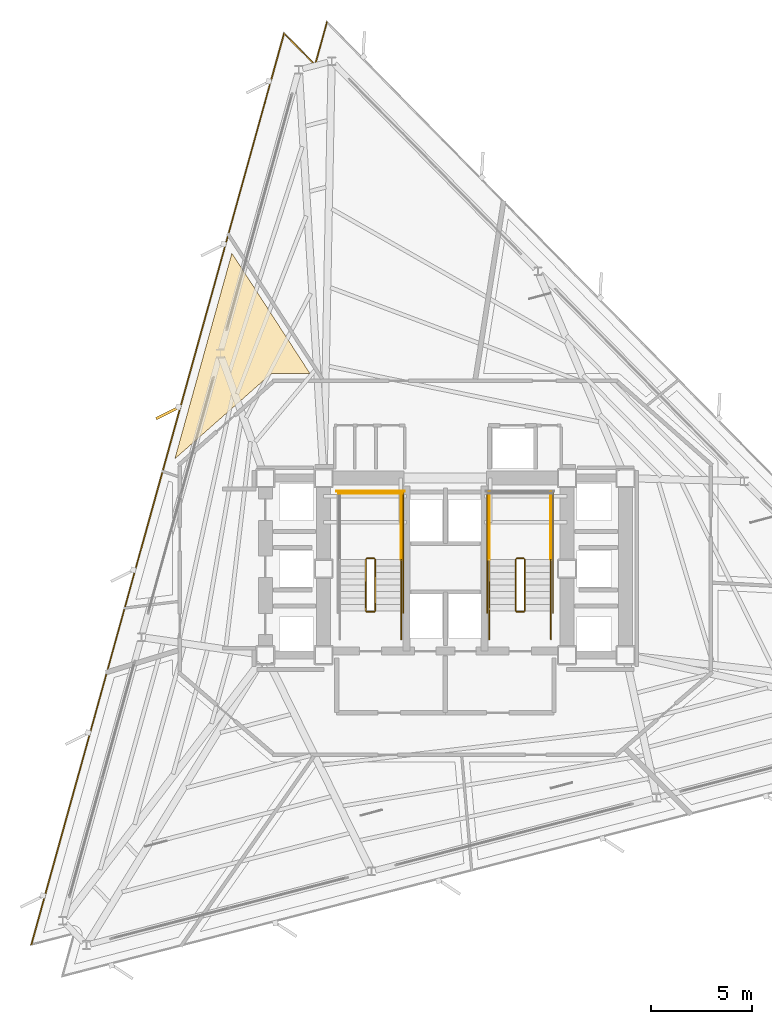
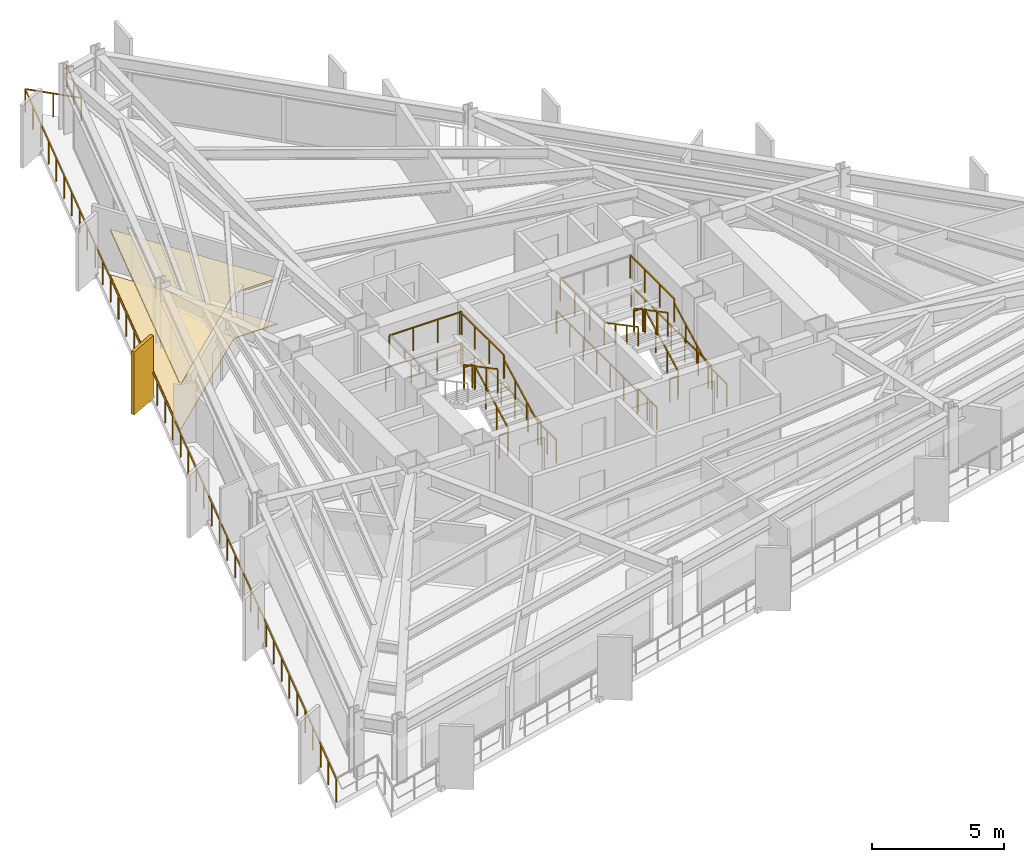
# One storey, part 10 of 11: 23 railings, 2 coverings, 1 shading device.
"""IFC4 building model written with IfcOpenShell, lengths in metres."""

from ifc_helpers import new_model, si_unit, direction, frame, origin, origin_2d, place, context, subcontext, project, spatial, polyline, rectangle, outline, extrude, material, layer, layer_set, type_object, element, save


model = new_model("IFC4")

# Units and contexts
model_context = context("Model", 3, precision=1e-05, world=origin(), true_north=direction((0.0, 1.0)))
body_context = subcontext(model_context, "Body", "Model", "MODEL_VIEW")
ifc_project = project(units=[si_unit("LENGTHUNIT", "METRE"), si_unit("AREAUNIT", "SQUARE_METRE"), si_unit("VOLUMEUNIT", "CUBIC_METRE"), si_unit("PLANEANGLEUNIT", "RADIAN"), si_unit("MASSUNIT", "GRAM", prefix="KILO")], contexts=[model_context])

# Site, building, storey
site_placement = place(None, origin())
site = spatial("IfcSite", under=ifc_project, at=site_placement, CompositionType="ELEMENT")
building_placement = place(site_placement, origin())
building = spatial("IfcBuilding", under=site, at=building_placement, Name="Rocaltana Carrier Exchange", CompositionType="ELEMENT")
storey_placement = place(building_placement, frame((0.0, 0.0, 91.679931640625)))
storey = spatial("IfcBuildingStorey", under=building, at=storey_placement, Name="L28", CompositionType="ELEMENT", Elevation=91.679931640625)

# Coverings
ifc_material_1 = material(Name="Honed Bogota Sandstone Tile", Category="masonry")
ifc_layer_1 = layer(ifc_material_1, 0.0400390625)
ifc_layer_set_1 = layer_set([ifc_layer_1], Name="Honed Bogota Sandstone Tile")
covering_type_1 = type_object("IfcCoveringType", Name="Honed Stone Lobby Flooring 40", PredefinedType="FLOORING", material=ifc_layer_set_1)
covering_1_placement = place(storey_placement, origin())
element("IfcCovering", 1, at=covering_1_placement, inside=storey, type_object=covering_type_1, Name="L28 Carrier Peering Suite Finish Floor", PredefinedType="FLOORING", context=body_context, shape_type="SweptSolid", body=[
    extrude(outline(polyline([(-13.4443359375, 5.464111328125), (-10.611572265625, 15.67919921875), (-6.735107421875, 9.7099609375), (-8.5, 9.7099609375), (-8.514404296875, 9.709716796875), (-8.522705078125, 9.709228515625), (-8.551513671875, 9.706298828125), (-8.5595703125, 9.704833984375), (-8.587890625, 9.698974609375), (-8.595947265625, 9.697021484375), (-8.62353515625, 9.68798828125), (-8.631103515625, 9.68505859375), (-8.65771484375, 9.673583984375), (-8.6650390625, 9.669921875), (-8.690185546875, 9.655517578125), (-8.697265625, 9.651123046875), (-8.720703125, 9.63427734375), (-8.727294921875, 9.629150390625), (-8.73828125, 9.619873046875), (-13.438232421875, 5.469970703125), (-13.4443359375, 5.464111328125)])), origin(), (0.0, 0.0, 1.0), 0.0400390625),
])
ifc_material_2 = material(Name="Anodised Aluminium 6063-T6", Category="aluminium")
ifc_layer_2 = layer(ifc_material_2, 0.0849609375)
ifc_layer_set_2 = layer_set([ifc_layer_2], Name="Anodised Aluminium 6063-T6")
covering_type_2 = type_object("IfcCoveringType", Name="Linear Baffle Acoustic Ceiling 85", PredefinedType="CEILING", material=ifc_layer_set_2)
covering_2_placement = place(storey_placement, frame((0.0, 0.0, 2.052978515625)))
element("IfcCovering", 2, at=covering_2_placement, inside=storey, type_object=covering_type_2, Name="L28 Carrier Peering Suite Acoustic Ceiling", PredefinedType="CEILING", context=body_context, shape_type="SweptSolid", body=[
    extrude(outline(polyline([(-13.4443359375, 5.464111328125), (-10.611572265625, 15.67919921875), (-6.735107421875, 9.7099609375), (-8.5, 9.7099609375), (-8.514404296875, 9.709716796875), (-8.522705078125, 9.709228515625), (-8.551513671875, 9.706298828125), (-8.5595703125, 9.704833984375), (-8.587890625, 9.698974609375), (-8.595947265625, 9.697021484375), (-8.62353515625, 9.68798828125), (-8.631103515625, 9.68505859375), (-8.65771484375, 9.673583984375), (-8.6650390625, 9.669921875), (-8.690185546875, 9.655517578125), (-8.697265625, 9.651123046875), (-8.720703125, 9.63427734375), (-8.727294921875, 9.629150390625), (-8.73828125, 9.619873046875), (-13.438232421875, 5.469970703125), (-13.4443359375, 5.464111328125)])), origin(), (0.0, 0.0, 1.0), 0.085205078125),
])

# Railings
ifc_material_3 = material(Name="Brushed Architectural Stainless Tube", Category="steel")
ifc_layer_3 = layer(ifc_material_3, 0.048095703125)
ifc_layer_set_3 = layer_set([ifc_layer_3], Name="Brushed Architectural Stainless Tube")
railing_type_1 = type_object("IfcRailingType", Name="Stair Wall Handrail 920", PredefinedType="HANDRAIL", material=ifc_layer_set_3)
for number, where, name in (
    (3, (-2.18994140625, -2.10009765625, 0.1689453125), "L28 ST-1 stair handrail 1"),
    (4, (5.25, -2.10009765625, 0.1689453125), "L28 ST-2 stair handrail 1"),
):
    element("IfcRailing", number, at=place(storey_placement, frame(where)), inside=storey, type_object=railing_type_1, Name=name, PredefinedType="HANDRAIL", context=body_context, shape_type="SweptSolid", body=[
        extrude(rectangle(XDim=0.048095703125, YDim=0.048095703125, at=origin_2d()), frame((0.0, 0.0, 0.8759765625), z_axis=(0.0, 0.884394423565, 0.466740295633), x_axis=(-1.0, 0.0, 0.0)), (0.0, 0.0, 1.0), 2.894775390625),
        extrude(rectangle(XDim=0.0419921875, YDim=0.0419921875, at=origin_2d()), origin(), (0.0, 0.0, 1.0), 0.851806640625),
        extrude(rectangle(XDim=0.0419921875, YDim=0.0419921875, at=origin_2d()), frame((0.0, 0.853271484375, 0.450439453125)), (0.0, 0.0, 1.0), 0.851806640625),
        extrude(rectangle(XDim=0.0419921875, YDim=0.0419921875, at=origin_2d()), frame((0.0, 1.706787109375, 0.900634765625)), (0.0, 0.0, 1.0), 0.851806640625),
        extrude(rectangle(XDim=0.0419921875, YDim=0.0419921875, at=origin_2d()), frame((0.0, 2.56005859375, 1.35107421875)), (0.0, 0.0, 1.0), 0.851806640625),
    ])
railing_1_placement = place(storey_placement, frame((2.18994140625, 0.4599609375, 1.68896484375)))
element("IfcRailing", 5, at=railing_1_placement, inside=storey, type_object=railing_type_1, Name="L28 ST-2 stair handrail 2", PredefinedType="HANDRAIL", context=body_context, shape_type="SweptSolid", body=[
    extrude(rectangle(XDim=0.048095703125, YDim=0.048095703125, at=origin_2d()), frame((0.0, 0.0, 0.8759765625), z_axis=(0.0, -0.884394423565, 0.466740295633), x_axis=(1.0, 0.0, 0.0)), (0.0, 0.0, 1.0), 2.894775390625),
    extrude(rectangle(XDim=0.0419921875, YDim=0.0419921875, at=origin_2d()), origin(), (0.0, 0.0, 1.0), 0.851806640625),
    extrude(rectangle(XDim=0.0419921875, YDim=0.0419921875, at=origin_2d()), frame((0.0, -0.853271484375, 0.450439453125)), (0.0, 0.0, 1.0), 0.851806640625),
    extrude(rectangle(XDim=0.0419921875, YDim=0.0419921875, at=origin_2d()), frame((0.0, -1.706787109375, 0.900634765625)), (0.0, 0.0, 1.0), 0.851806640625),
    extrude(rectangle(XDim=0.0419921875, YDim=0.0419921875, at=origin_2d()), frame((0.0, -2.56005859375, 1.35107421875)), (0.0, 0.0, 1.0), 0.851806640625),
])
ifc_material_4 = material(Name="Powder-Coated Aluminium 6063-T6", Category="aluminium")
ifc_layer_4 = layer(ifc_material_4, 0.048095703125)
ifc_layer_set_4 = layer_set([ifc_layer_4], Name="Powder-Coated Aluminium 6063-T6")
railing_type_2 = type_object("IfcRailingType", Name="Stair Well Guardrail 1100", PredefinedType="GUARDRAIL", material=ifc_layer_set_4)
railing_2_placement = place(storey_placement, frame((-3.489990234375, -2.10009765625, 0.1689453125)))
element("IfcRailing", 6, at=railing_2_placement, inside=storey, type_object=railing_type_2, Name="L28 ST-1 stair guard 1", PredefinedType="GUARDRAIL", context=body_context, shape_type="SweptSolid", body=[
    extrude(rectangle(XDim=0.048095703125, YDim=0.048095703125, at=origin_2d()), frame((0.0, 0.0, 1.076171875), z_axis=(0.0, 0.884394423565, 0.466740295633), x_axis=(-1.0, 0.0, 0.0)), (0.0, 0.0, 1.0), 2.894775390625),
    extrude(rectangle(XDim=0.0419921875, YDim=0.0419921875, at=origin_2d()), origin(), (0.0, 0.0, 1.0), 1.052001953125),
    extrude(rectangle(XDim=0.0419921875, YDim=0.0419921875, at=origin_2d()), frame((0.0, 0.853271484375, 0.450439453125)), (0.0, 0.0, 1.0), 1.052001953125),
    extrude(rectangle(XDim=0.0419921875, YDim=0.0419921875, at=origin_2d()), frame((0.0, 1.706787109375, 0.900634765625)), (0.0, 0.0, 1.0), 1.052001953125),
    extrude(rectangle(XDim=0.0419921875, YDim=0.0419921875, at=origin_2d()), frame((0.0, 2.56005859375, 1.35107421875)), (0.0, 0.0, 1.0), 1.052001953125),
])
railing_3_placement = place(storey_placement, frame((-3.5400390625, 0.510009765625, 1.52001953125)))
element("IfcRailing", 7, at=railing_3_placement, inside=storey, type_object=railing_type_2, Name="L28 ST-1 stair guard 2", PredefinedType="GUARDRAIL", context=body_context, shape_type="SweptSolid", body=[
    extrude(rectangle(XDim=0.048095703125, YDim=0.048095703125, at=origin_2d()), frame((0.0, 0.0, 1.076171875), z_axis=(-1.0, 0.0, 0.0), x_axis=(0.0, -1.0, 0.0)), (0.0, 0.0, 1.0), 0.35986328125),
    extrude(rectangle(XDim=0.0419921875, YDim=0.0419921875, at=origin_2d()), origin(), (0.0, 0.0, 1.0), 1.052001953125),
    extrude(rectangle(XDim=0.0419921875, YDim=0.0419921875, at=origin_2d()), frame((-0.35986328125, 0.0, 0.0)), (0.0, 0.0, 1.0), 1.052001953125),
])
railing_4_placement = place(storey_placement, frame((-2.18994140625, 0.4599609375, 1.52001953125)))
element("IfcRailing", 8, at=railing_4_placement, inside=storey, type_object=railing_type_2, Name="L28 ST-1 stair guard 3", PredefinedType="GUARDRAIL", context=body_context, shape_type="SweptSolid", body=[
    extrude(rectangle(XDim=0.048095703125, YDim=0.048095703125, at=origin_2d()), frame((0.0, 0.0, 1.076171875), z_axis=(0.0, 1.0, 0.0), x_axis=(-1.0, 0.0, 0.0)), (0.0, 0.0, 1.0), 3.340087890625),
    extrude(rectangle(XDim=0.0419921875, YDim=0.0419921875, at=origin_2d()), origin(), (0.0, 0.0, 1.0), 1.052001953125),
    extrude(rectangle(XDim=0.0419921875, YDim=0.0419921875, at=origin_2d()), frame((0.0, 1.11328125, 0.0)), (0.0, 0.0, 1.0), 1.052001953125),
    extrude(rectangle(XDim=0.0419921875, YDim=0.0419921875, at=origin_2d()), frame((0.0, 2.226806640625, 0.0)), (0.0, 0.0, 1.0), 1.052001953125),
    extrude(rectangle(XDim=0.0419921875, YDim=0.0419921875, at=origin_2d()), frame((0.0, 3.340087890625, 0.0)), (0.0, 0.0, 1.0), 1.052001953125),
])
railing_5_placement = place(storey_placement, frame((-2.139892578125, 3.75, 1.52001953125)))
element("IfcRailing", 9, at=railing_5_placement, inside=storey, type_object=railing_type_2, Name="L28 ST-1 stair guard 5", PredefinedType="GUARDRAIL", context=body_context, shape_type="SweptSolid", body=[
    extrude(rectangle(XDim=0.048095703125, YDim=0.048095703125, at=origin_2d()), frame((0.0, 0.0, 1.076171875), z_axis=(-1.0, 0.0, 0.0), x_axis=(0.0, -1.0, 0.0)), (0.0, 0.0, 1.0), 3.16015625),
    extrude(rectangle(XDim=0.0419921875, YDim=0.0419921875, at=origin_2d()), origin(), (0.0, 0.0, 1.0), 1.052001953125),
    extrude(rectangle(XDim=0.0419921875, YDim=0.0419921875, at=origin_2d()), frame((-1.053466796875, 0.0, 0.0)), (0.0, 0.0, 1.0), 1.052001953125),
    extrude(rectangle(XDim=0.0419921875, YDim=0.0419921875, at=origin_2d()), frame((-2.106689453125, 0.0, 0.0)), (0.0, 0.0, 1.0), 1.052001953125),
    extrude(rectangle(XDim=0.0419921875, YDim=0.0419921875, at=origin_2d()), frame((-3.16015625, 0.0, 0.0)), (0.0, 0.0, 1.0), 1.052001953125),
])
railing_6_placement = place(storey_placement, frame((-3.949951171875, 0.4599609375, 1.68896484375)))
element("IfcRailing", 10, at=railing_6_placement, inside=storey, type_object=railing_type_2, Name="L28 ST-1 stair guard 6", PredefinedType="GUARDRAIL", context=body_context, shape_type="SweptSolid", body=[
    extrude(rectangle(XDim=0.048095703125, YDim=0.048095703125, at=origin_2d()), frame((0.0, 0.0, 1.076171875), z_axis=(0.0, -0.884394423565, 0.466740295633), x_axis=(1.0, 0.0, 0.0)), (0.0, 0.0, 1.0), 2.894775390625),
    extrude(rectangle(XDim=0.0419921875, YDim=0.0419921875, at=origin_2d()), origin(), (0.0, 0.0, 1.0), 1.052001953125),
    extrude(rectangle(XDim=0.0419921875, YDim=0.0419921875, at=origin_2d()), frame((0.0, -0.853271484375, 0.450439453125)), (0.0, 0.0, 1.0), 1.052001953125),
    extrude(rectangle(XDim=0.0419921875, YDim=0.0419921875, at=origin_2d()), frame((0.0, -1.706787109375, 0.900634765625)), (0.0, 0.0, 1.0), 1.052001953125),
    extrude(rectangle(XDim=0.0419921875, YDim=0.0419921875, at=origin_2d()), frame((0.0, -2.56005859375, 1.35107421875)), (0.0, 0.0, 1.0), 1.052001953125),
])
railing_7_placement = place(storey_placement, frame((-3.5400390625, -2.14990234375, 0.0)))
element("IfcRailing", 11, at=railing_7_placement, inside=storey, type_object=railing_type_2, Name="L28 ST-1 stair guard 7", PredefinedType="GUARDRAIL", context=body_context, shape_type="SweptSolid", body=[
    extrude(rectangle(XDim=0.048095703125, YDim=0.048095703125, at=origin_2d()), frame((0.0, 0.0, 1.076171875), z_axis=(-1.0, 0.0, 0.0), x_axis=(0.0, -1.0, 0.0)), (0.0, 0.0, 1.0), 0.35986328125),
    extrude(rectangle(XDim=0.0419921875, YDim=0.0419921875, at=origin_2d()), origin(), (0.0, 0.0, 1.0), 1.052001953125),
    extrude(rectangle(XDim=0.0419921875, YDim=0.0419921875, at=origin_2d()), frame((-0.35986328125, 0.0, 0.0)), (0.0, 0.0, 1.0), 1.052001953125),
])
railing_8_placement = place(storey_placement, frame((-2.18994140625, -3.5, 0.0)))
element("IfcRailing", 12, at=railing_8_placement, inside=storey, type_object=railing_type_2, Name="L28 ST-1 stair guard 8", PredefinedType="GUARDRAIL", context=body_context, shape_type="SweptSolid", body=[
    extrude(rectangle(XDim=0.048095703125, YDim=0.048095703125, at=origin_2d()), frame((0.0, 0.0, 1.076171875), z_axis=(0.0, 1.0, 0.0), x_axis=(-1.0, 0.0, 0.0)), (0.0, 0.0, 1.0), 1.39990234375),
    extrude(rectangle(XDim=0.0419921875, YDim=0.0419921875, at=origin_2d()), origin(), (0.0, 0.0, 1.0), 1.052001953125),
    extrude(rectangle(XDim=0.0419921875, YDim=0.0419921875, at=origin_2d()), frame((0.0, 0.699951171875, 0.0)), (0.0, 0.0, 1.0), 1.052001953125),
    extrude(rectangle(XDim=0.0419921875, YDim=0.0419921875, at=origin_2d()), frame((0.0, 1.39990234375, 0.0)), (0.0, 0.0, 1.0), 1.052001953125),
])
railing_9_placement = place(storey_placement, frame((-2.090087890625, -2.199951171875, 0.0)))
element("IfcRailing", 13, at=railing_9_placement, inside=storey, type_object=railing_type_2, Name="L28 ST-1 stair guard 10", PredefinedType="GUARDRAIL", context=body_context, shape_type="SweptSolid", body=[
    extrude(rectangle(XDim=0.048095703125, YDim=0.048095703125, at=origin_2d()), frame((0.0, 0.0, 1.076171875), z_axis=(0.0, 1.0, 0.0), x_axis=(-1.0, 0.0, 0.0)), (0.0, 0.0, 1.0), 6.099853515625),
    extrude(rectangle(XDim=0.0419921875, YDim=0.0419921875, at=origin_2d()), origin(), (0.0, 0.0, 1.0), 1.052001953125),
    extrude(rectangle(XDim=0.0419921875, YDim=0.0419921875, at=origin_2d()), frame((0.0, 1.0166015625, 0.0)), (0.0, 0.0, 1.0), 1.052001953125),
    extrude(rectangle(XDim=0.0419921875, YDim=0.0419921875, at=origin_2d()), frame((0.0, 2.033203125, 0.0)), (0.0, 0.0, 1.0), 1.052001953125),
    extrude(rectangle(XDim=0.0419921875, YDim=0.0419921875, at=origin_2d()), frame((0.0, 3.0498046875, 0.0)), (0.0, 0.0, 1.0), 1.052001953125),
    extrude(rectangle(XDim=0.0419921875, YDim=0.0419921875, at=origin_2d()), frame((0.0, 4.066650390625, 0.0)), (0.0, 0.0, 1.0), 1.052001953125),
    extrude(rectangle(XDim=0.0419921875, YDim=0.0419921875, at=origin_2d()), frame((0.0, 5.083251953125, 0.0)), (0.0, 0.0, 1.0), 1.052001953125),
    extrude(rectangle(XDim=0.0419921875, YDim=0.0419921875, at=origin_2d()), frame((0.0, 6.099853515625, 0.0)), (0.0, 0.0, 1.0), 1.052001953125),
])
railing_10_placement = place(storey_placement, frame((-2.0400390625, 3.85009765625, 0.0)))
element("IfcRailing", 14, at=railing_10_placement, inside=storey, type_object=railing_type_2, Name="L28 ST-1 stair guard 12", PredefinedType="GUARDRAIL", context=body_context, shape_type="SweptSolid", body=[
    extrude(rectangle(XDim=0.048095703125, YDim=0.048095703125, at=origin_2d()), frame((0.0, 0.0, 1.076171875), z_axis=(-1.0, 0.0, 0.0), x_axis=(0.0, -1.0, 0.0)), (0.0, 0.0, 1.0), 3.35986328125),
    extrude(rectangle(XDim=0.0419921875, YDim=0.0419921875, at=origin_2d()), origin(), (0.0, 0.0, 1.0), 1.052001953125),
    extrude(rectangle(XDim=0.0419921875, YDim=0.0419921875, at=origin_2d()), frame((-1.119873046875, 0.0, 0.0)), (0.0, 0.0, 1.0), 1.052001953125),
    extrude(rectangle(XDim=0.0419921875, YDim=0.0419921875, at=origin_2d()), frame((-2.239990234375, 0.0, 0.0)), (0.0, 0.0, 1.0), 1.052001953125),
    extrude(rectangle(XDim=0.0419921875, YDim=0.0419921875, at=origin_2d()), frame((-3.35986328125, 0.0, 0.0)), (0.0, 0.0, 1.0), 1.052001953125),
])
railing_11_placement = place(storey_placement, frame((3.949951171875, -2.10009765625, 0.1689453125)))
element("IfcRailing", 15, at=railing_11_placement, inside=storey, type_object=railing_type_2, Name="L28 ST-2 stair guard 1", PredefinedType="GUARDRAIL", context=body_context, shape_type="SweptSolid", body=[
    extrude(rectangle(XDim=0.048095703125, YDim=0.048095703125, at=origin_2d()), frame((0.0, 0.0, 1.076171875), z_axis=(0.0, 0.884394423565, 0.466740295633), x_axis=(-1.0, 0.0, 0.0)), (0.0, 0.0, 1.0), 2.894775390625),
    extrude(rectangle(XDim=0.0419921875, YDim=0.0419921875, at=origin_2d()), origin(), (0.0, 0.0, 1.0), 1.052001953125),
    extrude(rectangle(XDim=0.0419921875, YDim=0.0419921875, at=origin_2d()), frame((0.0, 0.853271484375, 0.450439453125)), (0.0, 0.0, 1.0), 1.052001953125),
    extrude(rectangle(XDim=0.0419921875, YDim=0.0419921875, at=origin_2d()), frame((0.0, 1.706787109375, 0.900634765625)), (0.0, 0.0, 1.0), 1.052001953125),
    extrude(rectangle(XDim=0.0419921875, YDim=0.0419921875, at=origin_2d()), frame((0.0, 2.56005859375, 1.35107421875)), (0.0, 0.0, 1.0), 1.052001953125),
])
railing_12_placement = place(storey_placement, frame((3.89990234375, 0.510009765625, 1.52001953125)))
element("IfcRailing", 16, at=railing_12_placement, inside=storey, type_object=railing_type_2, Name="L28 ST-2 stair guard 2", PredefinedType="GUARDRAIL", context=body_context, shape_type="SweptSolid", body=[
    extrude(rectangle(XDim=0.048095703125, YDim=0.048095703125, at=origin_2d()), frame((0.0, 0.0, 1.076171875), z_axis=(-1.0, 0.0, 0.0), x_axis=(0.0, -1.0, 0.0)), (0.0, 0.0, 1.0), 0.35986328125),
    extrude(rectangle(XDim=0.0419921875, YDim=0.0419921875, at=origin_2d()), origin(), (0.0, 0.0, 1.0), 1.052001953125),
    extrude(rectangle(XDim=0.0419921875, YDim=0.0419921875, at=origin_2d()), frame((-0.35986328125, 0.0, 0.0)), (0.0, 0.0, 1.0), 1.052001953125),
])
for number, where, name in (
    (17, (5.25, 0.4599609375, 1.52001953125), "L28 ST-2 stair guard 3"),
    (18, (2.18994140625, 0.4599609375, 1.52001953125), "L28 ST-2 stair guard 4"),
):
    element("IfcRailing", number, at=place(storey_placement, frame(where)), inside=storey, type_object=railing_type_2, Name=name, PredefinedType="GUARDRAIL", context=body_context, shape_type="SweptSolid", body=[
        extrude(rectangle(XDim=0.048095703125, YDim=0.048095703125, at=origin_2d()), frame((0.0, 0.0, 1.076171875), z_axis=(0.0, 1.0, 0.0), x_axis=(-1.0, 0.0, 0.0)), (0.0, 0.0, 1.0), 3.340087890625),
        extrude(rectangle(XDim=0.0419921875, YDim=0.0419921875, at=origin_2d()), origin(), (0.0, 0.0, 1.0), 1.052001953125),
        extrude(rectangle(XDim=0.0419921875, YDim=0.0419921875, at=origin_2d()), frame((0.0, 1.11328125, 0.0)), (0.0, 0.0, 1.0), 1.052001953125),
        extrude(rectangle(XDim=0.0419921875, YDim=0.0419921875, at=origin_2d()), frame((0.0, 2.226806640625, 0.0)), (0.0, 0.0, 1.0), 1.052001953125),
        extrude(rectangle(XDim=0.0419921875, YDim=0.0419921875, at=origin_2d()), frame((0.0, 3.340087890625, 0.0)), (0.0, 0.0, 1.0), 1.052001953125),
    ])
railing_13_placement = place(storey_placement, frame((3.489990234375, 0.4599609375, 1.68896484375)))
element("IfcRailing", 19, at=railing_13_placement, inside=storey, type_object=railing_type_2, Name="L28 ST-2 stair guard 6", PredefinedType="GUARDRAIL", context=body_context, shape_type="SweptSolid", body=[
    extrude(rectangle(XDim=0.048095703125, YDim=0.048095703125, at=origin_2d()), frame((0.0, 0.0, 1.076171875), z_axis=(0.0, -0.884394423565, 0.466740295633), x_axis=(1.0, 0.0, 0.0)), (0.0, 0.0, 1.0), 2.894775390625),
    extrude(rectangle(XDim=0.0419921875, YDim=0.0419921875, at=origin_2d()), origin(), (0.0, 0.0, 1.0), 1.052001953125),
    extrude(rectangle(XDim=0.0419921875, YDim=0.0419921875, at=origin_2d()), frame((0.0, -0.853271484375, 0.450439453125)), (0.0, 0.0, 1.0), 1.052001953125),
    extrude(rectangle(XDim=0.0419921875, YDim=0.0419921875, at=origin_2d()), frame((0.0, -1.706787109375, 0.900634765625)), (0.0, 0.0, 1.0), 1.052001953125),
    extrude(rectangle(XDim=0.0419921875, YDim=0.0419921875, at=origin_2d()), frame((0.0, -2.56005859375, 1.35107421875)), (0.0, 0.0, 1.0), 1.052001953125),
])
railing_14_placement = place(storey_placement, frame((3.89990234375, -2.14990234375, 0.0)))
element("IfcRailing", 20, at=railing_14_placement, inside=storey, type_object=railing_type_2, Name="L28 ST-2 stair guard 7", PredefinedType="GUARDRAIL", context=body_context, shape_type="SweptSolid", body=[
    extrude(rectangle(XDim=0.048095703125, YDim=0.048095703125, at=origin_2d()), frame((0.0, 0.0, 1.076171875), z_axis=(-1.0, 0.0, 0.0), x_axis=(0.0, -1.0, 0.0)), (0.0, 0.0, 1.0), 0.35986328125),
    extrude(rectangle(XDim=0.0419921875, YDim=0.0419921875, at=origin_2d()), origin(), (0.0, 0.0, 1.0), 1.052001953125),
    extrude(rectangle(XDim=0.0419921875, YDim=0.0419921875, at=origin_2d()), frame((-0.35986328125, 0.0, 0.0)), (0.0, 0.0, 1.0), 1.052001953125),
])
for number, where, name in (
    (21, (5.25, -3.5, 0.0), "L28 ST-2 stair guard 8"),
    (22, (2.18994140625, -3.5, 0.0), "L28 ST-2 stair guard 9"),
):
    element("IfcRailing", number, at=place(storey_placement, frame(where)), inside=storey, type_object=railing_type_2, Name=name, PredefinedType="GUARDRAIL", context=body_context, shape_type="SweptSolid", body=[
        extrude(rectangle(XDim=0.048095703125, YDim=0.048095703125, at=origin_2d()), frame((0.0, 0.0, 1.076171875), z_axis=(0.0, 1.0, 0.0), x_axis=(-1.0, 0.0, 0.0)), (0.0, 0.0, 1.0), 1.39990234375),
        extrude(rectangle(XDim=0.0419921875, YDim=0.0419921875, at=origin_2d()), origin(), (0.0, 0.0, 1.0), 1.052001953125),
        extrude(rectangle(XDim=0.0419921875, YDim=0.0419921875, at=origin_2d()), frame((0.0, 0.699951171875, 0.0)), (0.0, 0.0, 1.0), 1.052001953125),
        extrude(rectangle(XDim=0.0419921875, YDim=0.0419921875, at=origin_2d()), frame((0.0, 1.39990234375, 0.0)), (0.0, 0.0, 1.0), 1.052001953125),
    ])
for number, where, name in (
    (23, (5.35009765625, -2.199951171875, 0.0), "L28 ST-2 stair guard 10"),
    (24, (2.090087890625, -2.199951171875, 0.0), "L28 ST-2 stair guard 11"),
):
    element("IfcRailing", number, at=place(storey_placement, frame(where)), inside=storey, type_object=railing_type_2, Name=name, PredefinedType="GUARDRAIL", context=body_context, shape_type="SweptSolid", body=[
        extrude(rectangle(XDim=0.048095703125, YDim=0.048095703125, at=origin_2d()), frame((0.0, 0.0, 1.076171875), z_axis=(0.0, 1.0, 0.0), x_axis=(-1.0, 0.0, 0.0)), (0.0, 0.0, 1.0), 6.099853515625),
        extrude(rectangle(XDim=0.0419921875, YDim=0.0419921875, at=origin_2d()), origin(), (0.0, 0.0, 1.0), 1.052001953125),
        extrude(rectangle(XDim=0.0419921875, YDim=0.0419921875, at=origin_2d()), frame((0.0, 1.0166015625, 0.0)), (0.0, 0.0, 1.0), 1.052001953125),
        extrude(rectangle(XDim=0.0419921875, YDim=0.0419921875, at=origin_2d()), frame((0.0, 2.033203125, 0.0)), (0.0, 0.0, 1.0), 1.052001953125),
        extrude(rectangle(XDim=0.0419921875, YDim=0.0419921875, at=origin_2d()), frame((0.0, 3.0498046875, 0.0)), (0.0, 0.0, 1.0), 1.052001953125),
        extrude(rectangle(XDim=0.0419921875, YDim=0.0419921875, at=origin_2d()), frame((0.0, 4.066650390625, 0.0)), (0.0, 0.0, 1.0), 1.052001953125),
        extrude(rectangle(XDim=0.0419921875, YDim=0.0419921875, at=origin_2d()), frame((0.0, 5.083251953125, 0.0)), (0.0, 0.0, 1.0), 1.052001953125),
        extrude(rectangle(XDim=0.0419921875, YDim=0.0419921875, at=origin_2d()), frame((0.0, 6.099853515625, 0.0)), (0.0, 0.0, 1.0), 1.052001953125),
    ])

# Shading device
ifc_material_5 = material(Name="Honed Bogota Sandstone & Concrete C45/55", Category="masonry")
ifc_layer_5 = layer(ifc_material_5, 0.139892578125)
ifc_layer_set_5 = layer_set([ifc_layer_5], Name="Honed Bogota Sandstone & Concrete C45/55")
shading_device_type = type_object("IfcShadingDeviceType", Name="Vertical Sandstone Shading Fin 1320x140", PredefinedType="USERDEFINED", material=ifc_layer_set_5)
shading_device_placement = place(storey_placement, frame((-13.786376953125, 7.751220703125, -0.1201171875), z_axis=(0.0, 0.0, 1.0), x_axis=(-0.894934361602, -0.44619781311, 0.0)))
element("IfcShadingDevice", 25, at=shading_device_placement, inside=storey, type_object=shading_device_type, Name="L28 Sandstone Vertical Fin F2-03", ObjectType="FIN", PredefinedType="USERDEFINED", context=body_context, shape_type="SweptSolid", body=[
    extrude(rectangle(XDim=1.320068359375, YDim=0.139892578125, at=origin_2d()), origin(), (0.0, 0.0, 1.0), 2.907958984375),
])

# Railing
ifc_material_6 = material(Name="Powder-Coated Aluminium 6063-T6", Category="aluminium")
ifc_layer_6 = layer(ifc_material_6, 0.06005859375)
ifc_layer_set_6 = layer_set([ifc_layer_6], Name="Powder-Coated Aluminium 6063-T6")
railing_type_3 = type_object("IfcRailingType", Name="Wind-Floor & Terrace Perimeter Guardrail 1100", PredefinedType="GUARDRAIL", material=ifc_layer_set_6)
railing_15_placement = place(storey_placement, frame((-20.5751953125, -18.677001953125, 0.0)))
element("IfcRailing", 26, at=railing_15_placement, inside=storey, type_object=railing_type_3, Name="L28 Perimeter Balcony Guardrail 2", PredefinedType="GUARDRAIL", context=body_context, shape_type="SweptSolid", body=[
    extrude(rectangle(XDim=0.048095703125, YDim=0.048095703125, at=origin_2d()), frame((0.0, 0.0, 1.076171875), z_axis=(0.267237621402, 0.963630662499, 0.0), x_axis=(-0.963630662499, 0.267237621402, 0.0)), (0.0, 0.0, 1.0), 46.9921875),
    extrude(rectangle(XDim=0.048095703125, YDim=0.048095703125, at=origin_2d()), frame((12.55810546875, 45.283203125, 1.076171875), z_axis=(0.700920820206, -0.713239093012, 0.0), x_axis=(0.713239093012, 0.700920820206, 0.0)), (0.0, 0.0, 1.0), 2.199951171875),
    extrude(rectangle(XDim=0.048095703125, YDim=0.048095703125, at=origin_2d()), frame((14.10009765625, 43.714111328125, 1.076171875), z_axis=(0.267237446942, 0.96363071088, 0.0), x_axis=(-0.96363071088, 0.267237446942, 0.0)), (0.0, 0.0, 1.0), 2.199951171875),
    extrude(rectangle(XDim=0.0419921875, YDim=0.0419921875, at=origin_2d()), origin(), (0.0, 0.0, 1.0), 1.052001953125),
    extrude(rectangle(XDim=0.0419921875, YDim=0.0419921875, at=origin_2d()), frame((0.31396484375, 1.132080078125, 0.0)), (0.0, 0.0, 1.0), 1.052001953125),
    extrude(rectangle(XDim=0.0419921875, YDim=0.0419921875, at=origin_2d()), frame((0.6279296875, 2.26416015625, 0.0)), (0.0, 0.0, 1.0), 1.052001953125),
    extrude(rectangle(XDim=0.0419921875, YDim=0.0419921875, at=origin_2d()), frame((0.94189453125, 3.396240234375, 0.0)), (0.0, 0.0, 1.0), 1.052001953125),
    extrude(rectangle(XDim=0.0419921875, YDim=0.0419921875, at=origin_2d()), frame((1.255859375, 4.5283203125, 0.0)), (0.0, 0.0, 1.0), 1.052001953125),
    extrude(rectangle(XDim=0.0419921875, YDim=0.0419921875, at=origin_2d()), frame((1.56982421875, 5.660400390625, 0.0)), (0.0, 0.0, 1.0), 1.052001953125),
    extrude(rectangle(XDim=0.0419921875, YDim=0.0419921875, at=origin_2d()), frame((1.8837890625, 6.79248046875, 0.0)), (0.0, 0.0, 1.0), 1.052001953125),
    extrude(rectangle(XDim=0.0419921875, YDim=0.0419921875, at=origin_2d()), frame((2.19775390625, 7.924560546875, 0.0)), (0.0, 0.0, 1.0), 1.052001953125),
    extrude(rectangle(XDim=0.0419921875, YDim=0.0419921875, at=origin_2d()), frame((2.51171875, 9.056640625, 0.0)), (0.0, 0.0, 1.0), 1.052001953125),
    extrude(rectangle(XDim=0.0419921875, YDim=0.0419921875, at=origin_2d()), frame((2.82568359375, 10.188720703125, 0.0)), (0.0, 0.0, 1.0), 1.052001953125),
    extrude(rectangle(XDim=0.0419921875, YDim=0.0419921875, at=origin_2d()), frame((3.1396484375, 11.32080078125, 0.0)), (0.0, 0.0, 1.0), 1.052001953125),
    extrude(rectangle(XDim=0.0419921875, YDim=0.0419921875, at=origin_2d()), frame((3.453369140625, 12.452880859375, 0.0)), (0.0, 0.0, 1.0), 1.052001953125),
    extrude(rectangle(XDim=0.0419921875, YDim=0.0419921875, at=origin_2d()), frame((3.767333984375, 13.5849609375, 0.0)), (0.0, 0.0, 1.0), 1.052001953125),
    extrude(rectangle(XDim=0.0419921875, YDim=0.0419921875, at=origin_2d()), frame((4.081298828125, 14.717041015625, 0.0)), (0.0, 0.0, 1.0), 1.052001953125),
    extrude(rectangle(XDim=0.0419921875, YDim=0.0419921875, at=origin_2d()), frame((4.395263671875, 15.84912109375, 0.0)), (0.0, 0.0, 1.0), 1.052001953125),
    extrude(rectangle(XDim=0.0419921875, YDim=0.0419921875, at=origin_2d()), frame((4.709228515625, 16.981201171875, 0.0)), (0.0, 0.0, 1.0), 1.052001953125),
    extrude(rectangle(XDim=0.0419921875, YDim=0.0419921875, at=origin_2d()), frame((5.023193359375, 18.11328125, 0.0)), (0.0, 0.0, 1.0), 1.052001953125),
    extrude(rectangle(XDim=0.0419921875, YDim=0.0419921875, at=origin_2d()), frame((5.337158203125, 19.245361328125, 0.0)), (0.0, 0.0, 1.0), 1.052001953125),
    extrude(rectangle(XDim=0.0419921875, YDim=0.0419921875, at=origin_2d()), frame((5.651123046875, 20.37744140625, 0.0)), (0.0, 0.0, 1.0), 1.052001953125),
    extrude(rectangle(XDim=0.0419921875, YDim=0.0419921875, at=origin_2d()), frame((5.965087890625, 21.509521484375, 0.0)), (0.0, 0.0, 1.0), 1.052001953125),
    extrude(rectangle(XDim=0.0419921875, YDim=0.0419921875, at=origin_2d()), frame((6.279052734375, 22.6416015625, 0.0)), (0.0, 0.0, 1.0), 1.052001953125),
    extrude(rectangle(XDim=0.0419921875, YDim=0.0419921875, at=origin_2d()), frame((6.593017578125, 23.773681640625, 0.0)), (0.0, 0.0, 1.0), 1.052001953125),
    extrude(rectangle(XDim=0.0419921875, YDim=0.0419921875, at=origin_2d()), frame((6.906982421875, 24.90576171875, 0.0)), (0.0, 0.0, 1.0), 1.052001953125),
    extrude(rectangle(XDim=0.0419921875, YDim=0.0419921875, at=origin_2d()), frame((7.220947265625, 26.037841796875, 0.0)), (0.0, 0.0, 1.0), 1.052001953125),
    extrude(rectangle(XDim=0.0419921875, YDim=0.0419921875, at=origin_2d()), frame((7.534912109375, 27.169921875, 0.0)), (0.0, 0.0, 1.0), 1.052001953125),
    extrude(rectangle(XDim=0.0419921875, YDim=0.0419921875, at=origin_2d()), frame((7.848876953125, 28.302001953125, 0.0)), (0.0, 0.0, 1.0), 1.052001953125),
    extrude(rectangle(XDim=0.0419921875, YDim=0.0419921875, at=origin_2d()), frame((8.162841796875, 29.43408203125, 0.0)), (0.0, 0.0, 1.0), 1.052001953125),
    extrude(rectangle(XDim=0.0419921875, YDim=0.0419921875, at=origin_2d()), frame((8.476806640625, 30.566162109375, 0.0)), (0.0, 0.0, 1.0), 1.052001953125),
    extrude(rectangle(XDim=0.0419921875, YDim=0.0419921875, at=origin_2d()), frame((8.790771484375, 31.6982421875, 0.0)), (0.0, 0.0, 1.0), 1.052001953125),
    extrude(rectangle(XDim=0.0419921875, YDim=0.0419921875, at=origin_2d()), frame((9.104736328125, 32.830322265625, 0.0)), (0.0, 0.0, 1.0), 1.052001953125),
    extrude(rectangle(XDim=0.0419921875, YDim=0.0419921875, at=origin_2d()), frame((9.41845703125, 33.96240234375, 0.0)), (0.0, 0.0, 1.0), 1.052001953125),
    extrude(rectangle(XDim=0.0419921875, YDim=0.0419921875, at=origin_2d()), frame((9.732421875, 35.094482421875, 0.0)), (0.0, 0.0, 1.0), 1.052001953125),
    extrude(rectangle(XDim=0.0419921875, YDim=0.0419921875, at=origin_2d()), frame((10.04638671875, 36.2265625, 0.0)), (0.0, 0.0, 1.0), 1.052001953125),
    extrude(rectangle(XDim=0.0419921875, YDim=0.0419921875, at=origin_2d()), frame((10.3603515625, 37.358642578125, 0.0)), (0.0, 0.0, 1.0), 1.052001953125),
    extrude(rectangle(XDim=0.0419921875, YDim=0.0419921875, at=origin_2d()), frame((10.67431640625, 38.49072265625, 0.0)), (0.0, 0.0, 1.0), 1.052001953125),
    extrude(rectangle(XDim=0.0419921875, YDim=0.0419921875, at=origin_2d()), frame((10.98828125, 39.622802734375, 0.0)), (0.0, 0.0, 1.0), 1.052001953125),
    extrude(rectangle(XDim=0.0419921875, YDim=0.0419921875, at=origin_2d()), frame((11.30224609375, 40.7548828125, 0.0)), (0.0, 0.0, 1.0), 1.052001953125),
    extrude(rectangle(XDim=0.0419921875, YDim=0.0419921875, at=origin_2d()), frame((11.6162109375, 41.886962890625, 0.0)), (0.0, 0.0, 1.0), 1.052001953125),
    extrude(rectangle(XDim=0.0419921875, YDim=0.0419921875, at=origin_2d()), frame((11.93017578125, 43.01904296875, 0.0)), (0.0, 0.0, 1.0), 1.052001953125),
    extrude(rectangle(XDim=0.0419921875, YDim=0.0419921875, at=origin_2d()), frame((12.244140625, 44.151123046875, 0.0)), (0.0, 0.0, 1.0), 1.052001953125),
    extrude(rectangle(XDim=0.0419921875, YDim=0.0419921875, at=origin_2d()), frame((12.55810546875, 45.283203125, 0.0)), (0.0, 0.0, 1.0), 1.052001953125),
    extrude(rectangle(XDim=0.0419921875, YDim=0.0419921875, at=origin_2d()), frame((13.3291015625, 44.49853515625, 0.0)), (0.0, 0.0, 1.0), 1.052001953125),
    extrude(rectangle(XDim=0.0419921875, YDim=0.0419921875, at=origin_2d()), frame((14.10009765625, 43.714111328125, 0.0)), (0.0, 0.0, 1.0), 1.052001953125),
    extrude(rectangle(XDim=0.0419921875, YDim=0.0419921875, at=origin_2d()), frame((14.39404296875, 44.77392578125, 0.0)), (0.0, 0.0, 1.0), 1.052001953125),
    extrude(rectangle(XDim=0.0419921875, YDim=0.0419921875, at=origin_2d()), frame((14.68798828125, 45.833984375, 0.0)), (0.0, 0.0, 1.0), 1.052001953125),
])

save(model, "model.ifc")
